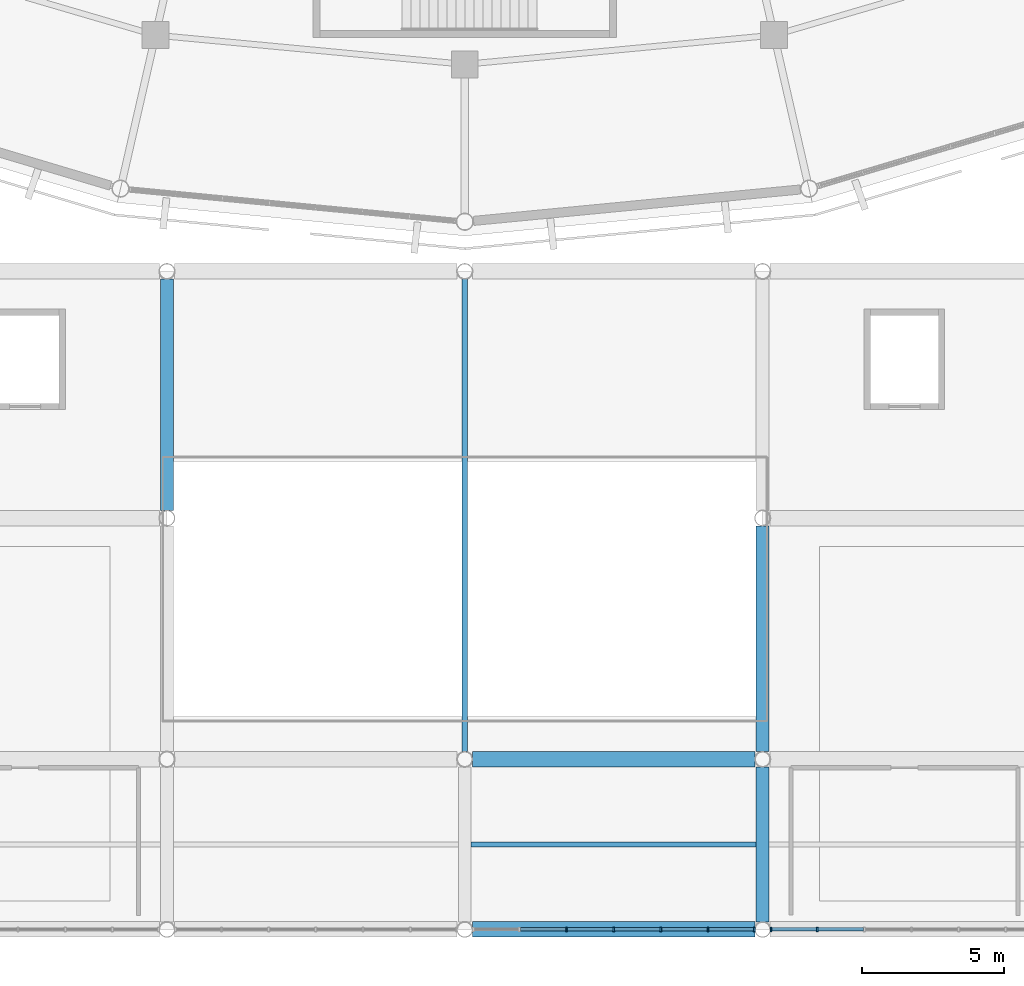
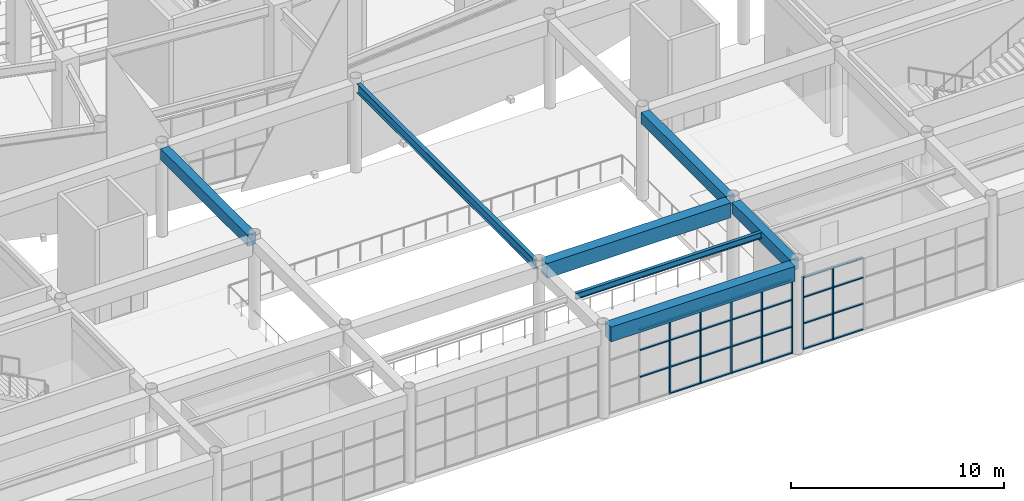
# One storey, part 23 of 120: 34 members, 7 beams, 2 elements without a shape of their own.
"""IFC4 building model written with IfcOpenShell, lengths in metres."""

from ifc_helpers import new_model, si_unit, direction, frame, origin, origin_2d, place, context, subcontext, project, spatial, rectangle, i_section, extrude, material, material_profile, profile_set, type_object, element, aggregate, save


model = new_model("IFC4")

# Units and contexts
model_context = context("Model", 3, precision=1e-05, world=origin(), true_north=direction((0.0, 1.0)))
body_context = subcontext(model_context, "Body", "Model", "MODEL_VIEW")
ifc_project = project(units=[si_unit("LENGTHUNIT", "METRE"), si_unit("AREAUNIT", "SQUARE_METRE"), si_unit("VOLUMEUNIT", "CUBIC_METRE"), si_unit("PLANEANGLEUNIT", "RADIAN"), si_unit("MASSUNIT", "GRAM", prefix="KILO")], contexts=[model_context])

# Site, building, storey
site_placement = place(None, origin())
site = spatial("IfcSite", under=ifc_project, at=site_placement, CompositionType="ELEMENT")
building_placement = place(site_placement, origin())
building = spatial("IfcBuilding", under=site, at=building_placement, Name="Cuetzalor Civic Arena", CompositionType="ELEMENT")
storey_placement = place(building_placement, frame((0.0, 0.0, 6.0)))
storey = spatial("IfcBuildingStorey", under=building, at=storey_placement, Name="L01", CompositionType="ELEMENT", Elevation=6.0)

# Beams
ifc_material_1 = material(Name="Concrete C40/50", Category="concrete")
ifc_material_profile_1 = material_profile(ifc_material_1, rectangle(XDim=0.550048828125, YDim=0.85009765625, at=origin_2d()), Name="RC 550x850")
ifc_profile_set_1 = profile_set([ifc_material_profile_1], Name="Concrete C40/50")
beam_type_1 = type_object("IfcBeamType", Name="ConcreteFrameBeam_550x850", PredefinedType="BEAM", material=ifc_profile_set_1)
for number, where, z_axis, x_axis, name in (
    (1, (0.26953125, -71.5, 4.695068359375), (1.0, 0.0, 0.0), (0.0, 1.0, 0.0), "Frame Girder V3-L01-X0293"),
    (2, (0.26953125, -65.5, 4.695068359375), (1.0, 0.0, 0.0), (0.0, 1.0, 0.0), "Frame Girder V3-L01-X0301"),
):
    element("IfcBeam", number, at=place(storey_placement, frame(where, z_axis=z_axis, x_axis=x_axis)), inside=storey, type_object=beam_type_1, Name=name, PredefinedType="BEAM", context=body_context, shape_type="SweptSolid", body=[
        extrude(rectangle(XDim=0.550048828125, YDim=0.85009765625, at=origin_2d()), origin(), (0.0, 0.0, 1.0), 9.9609375),
    ])
ifc_material_2 = material(Name="Concrete C40/50", Category="concrete")
ifc_material_profile_2 = material_profile(ifc_material_2, rectangle(XDim=0.449951171875, YDim=0.64990234375, at=origin_2d()), Name="RC 450x650")
ifc_profile_set_2 = profile_set([ifc_material_profile_2], Name="Concrete C40/50")
beam_type_2 = type_object("IfcBeamType", Name="ConcreteTieBeam_450x650", PredefinedType="BEAM", material=ifc_profile_set_2)
beam_1_placement = place(storey_placement, frame((-10.5, -56.73046875, 4.794921875), z_axis=(0.0, 1.0, 0.0), x_axis=(-1.0, 0.0, 0.0)))
element("IfcBeam", 3, at=beam_1_placement, inside=storey, type_object=beam_type_2, Name="Frame Girder V3-L01-Y0330", PredefinedType="BEAM", context=body_context, shape_type="SweptSolid", body=[
    extrude(rectangle(XDim=0.449951171875, YDim=0.64990234375, at=origin_2d()), origin(), (0.0, 0.0, 1.0), 8.160888671875),
])
beam_2_placement = place(storey_placement, frame((10.5, -71.23046875, 4.794921875), z_axis=(0.0, 1.0, 0.0), x_axis=(-1.0, 0.0, 0.0)))
element("IfcBeam", 4, at=beam_2_placement, inside=storey, type_object=beam_type_2, Name="Frame Girder V3-L01-Y0333", PredefinedType="BEAM", context=body_context, shape_type="SweptSolid", body=[
    extrude(rectangle(XDim=0.449951171875, YDim=0.64990234375, at=origin_2d()), origin(), (0.0, 0.0, 1.0), 5.4609375),
])
beam_3_placement = place(storey_placement, frame((10.5, -65.23046875, 4.794921875), z_axis=(0.0, 1.0, 0.0), x_axis=(-1.0, 0.0, 0.0)))
element("IfcBeam", 5, at=beam_3_placement, inside=storey, type_object=beam_type_2, Name="Frame Girder V3-L01-Y0334", PredefinedType="BEAM", context=body_context, shape_type="SweptSolid", body=[
    extrude(rectangle(XDim=0.449951171875, YDim=0.64990234375, at=origin_2d()), origin(), (0.0, 0.0, 1.0), 7.9609375),
])

# Curtain wall, members
ifc_material_3 = material(Name="Anodised dark bronze aluminium and low-E solar glass", Category="aluminium")
curtain_wall_type_1 = type_object("IfcCurtainWallType", Name="StickCW_10000x4250", PredefinedType="USERDEFINED", material=ifc_material_3)
curtain_wall_1_placement = place(storey_placement, origin())
curtain_wall_1 = element("IfcCurtainWall", 6, at=curtain_wall_1_placement, inside=storey, type_object=curtain_wall_type_1, Name="South Civic Square Curtain Wall L01-085", ObjectType="STICK CURTAIN WALL", PredefinedType="USERDEFINED")
ifc_material_4 = material(Name="Anodised dark bronze aluminium", Category="aluminium")
ifc_material_profile_3 = material_profile(ifc_material_4, rectangle(XDim=0.06494140625, YDim=0.14990234375, at=origin_2d()), Name="ALU MULLION 65x150")
ifc_profile_set_3 = profile_set([ifc_material_profile_3], Name="Anodised dark bronze aluminium")
member_type_1 = type_object("IfcMemberType", Name="CurtainWallMullion_60x150", PredefinedType="MULLION", material=ifc_profile_set_3)
member_1_placement = place(storey_placement, frame((10.2060546875, -71.5, 0.0), z_axis=(0.0, 0.0, 1.0), x_axis=(-1.0, 0.0, 0.0)))
member_1 = element("IfcMember", 7, at=member_1_placement, type_object=member_type_1, Name="CW-26 mullion 1", PredefinedType="MULLION", context=body_context, shape_type="SweptSolid", body=[
    extrude(rectangle(XDim=0.06494140625, YDim=0.14990234375, at=origin_2d()), origin(), (0.0, 0.0, 1.0), 4.260009765625),
])
member_2_placement = place(storey_placement, frame((8.57568359375, -71.5, 0.0), z_axis=(0.0, 0.0, 1.0), x_axis=(-1.0, 0.0, 0.0)))
member_2 = element("IfcMember", 8, at=member_2_placement, type_object=member_type_1, Name="CW-26 mullion 2", PredefinedType="MULLION", context=body_context, shape_type="SweptSolid", body=[
    extrude(rectangle(XDim=0.06494140625, YDim=0.14990234375, at=origin_2d()), origin(), (0.0, 0.0, 1.0), 4.260009765625),
])
member_3_placement = place(storey_placement, frame((6.912841796875, -71.5, 0.0), z_axis=(0.0, 0.0, 1.0), x_axis=(-1.0, 0.0, 0.0)))
member_3 = element("IfcMember", 9, at=member_3_placement, type_object=member_type_1, Name="CW-26 mullion 3", PredefinedType="MULLION", context=body_context, shape_type="SweptSolid", body=[
    extrude(rectangle(XDim=0.06494140625, YDim=0.14990234375, at=origin_2d()), origin(), (0.0, 0.0, 1.0), 4.260009765625),
])
member_4_placement = place(storey_placement, frame((5.25, -71.5, 0.0), z_axis=(0.0, 0.0, 1.0), x_axis=(-1.0, 0.0, 0.0)))
member_4 = element("IfcMember", 10, at=member_4_placement, type_object=member_type_1, Name="CW-26 mullion 4", PredefinedType="MULLION", context=body_context, shape_type="SweptSolid", body=[
    extrude(rectangle(XDim=0.06494140625, YDim=0.14990234375, at=origin_2d()), origin(), (0.0, 0.0, 1.0), 4.260009765625),
])
member_5_placement = place(storey_placement, frame((3.587158203125, -71.5, 0.0), z_axis=(0.0, 0.0, 1.0), x_axis=(-1.0, 0.0, 0.0)))
member_5 = element("IfcMember", 11, at=member_5_placement, type_object=member_type_1, Name="CW-26 mullion 5", PredefinedType="MULLION", context=body_context, shape_type="SweptSolid", body=[
    extrude(rectangle(XDim=0.06494140625, YDim=0.14990234375, at=origin_2d()), origin(), (0.0, 0.0, 1.0), 4.260009765625),
])

ifc_material_5 = material(Name="Anodised dark bronze aluminium and low-E solar glass", Category="aluminium")
curtain_wall_type_2 = type_object("IfcCurtainWallType", Name="StickCW_10000x4150", PredefinedType="USERDEFINED", material=ifc_material_5)
curtain_wall_2_placement = place(storey_placement, origin())
curtain_wall_2 = element("IfcCurtainWall", 12, at=curtain_wall_2_placement, inside=storey, type_object=curtain_wall_type_2, Name="South Civic Square Curtain Wall L01-086", ObjectType="STICK CURTAIN WALL", PredefinedType="USERDEFINED")
member_6_placement = place(storey_placement, frame((12.42431640625, -71.5, 0.0), z_axis=(0.0, 0.0, 1.0), x_axis=(-1.0, 0.0, 0.0)))
member_6 = element("IfcMember", 13, at=member_6_placement, type_object=member_type_1, Name="CW-25 mullion 6", PredefinedType="MULLION", context=body_context, shape_type="SweptSolid", body=[
    extrude(rectangle(XDim=0.06494140625, YDim=0.14990234375, at=origin_2d()), origin(), (0.0, 0.0, 1.0), 4.159912109375),
])
member_7_placement = place(storey_placement, frame((10.7939453125, -71.5, 0.0), z_axis=(0.0, 0.0, 1.0), x_axis=(-1.0, 0.0, 0.0)))
member_7 = element("IfcMember", 14, at=member_7_placement, type_object=member_type_1, Name="CW-25 mullion 7", PredefinedType="MULLION", context=body_context, shape_type="SweptSolid", body=[
    extrude(rectangle(XDim=0.06494140625, YDim=0.14990234375, at=origin_2d()), origin(), (0.0, 0.0, 1.0), 4.159912109375),
])

# Member
ifc_material_6 = material(Name="Anodised dark bronze aluminium", Category="aluminium")
ifc_material_profile_4 = material_profile(ifc_material_6, rectangle(XDim=0.1201171875, YDim=0.06494140625, at=origin_2d()), Name="ALU TRANSOM 65x120")
ifc_profile_set_4 = profile_set([ifc_material_profile_4], Name="Anodised dark bronze aluminium")
member_type_2 = type_object("IfcMemberType", Name="CurtainWallTransom_60x120", PredefinedType="USERDEFINED", material=ifc_profile_set_4)
member_8_placement = place(storey_placement, frame((10.173583984375, -71.5, 0.032470703125), z_axis=(-1.0, 0.0, 0.0), x_axis=(0.0, -1.0, 0.0)))
member_8 = element("IfcMember", 15, at=member_8_placement, type_object=member_type_2, Name="CW-26 transom 1.1", ObjectType="TRANSOM", PredefinedType="USERDEFINED", context=body_context, shape_type="SweptSolid", body=[
    extrude(rectangle(XDim=0.1201171875, YDim=0.06494140625, at=origin_2d()), origin(), (0.0, 0.0, 1.0), 1.5654296875),
])

member_9_placement = place(storey_placement, frame((10.173583984375, -71.5, 1.533935546875), z_axis=(-1.0, 0.0, 0.0), x_axis=(0.0, -1.0, 0.0)))
member_9 = element("IfcMember", 16, at=member_9_placement, type_object=member_type_2, Name="CW-26 transom 1.2", ObjectType="TRANSOM", PredefinedType="USERDEFINED", context=body_context, shape_type="SweptSolid", body=[
    extrude(rectangle(XDim=0.1201171875, YDim=0.06494140625, at=origin_2d()), origin(), (0.0, 0.0, 1.0), 1.5654296875),
])

member_10_placement = place(storey_placement, frame((10.173583984375, -71.5, 3.06689453125), z_axis=(-1.0, 0.0, 0.0), x_axis=(0.0, -1.0, 0.0)))
member_10 = element("IfcMember", 17, at=member_10_placement, type_object=member_type_2, Name="CW-26 transom 1.3", ObjectType="TRANSOM", PredefinedType="USERDEFINED", context=body_context, shape_type="SweptSolid", body=[
    extrude(rectangle(XDim=0.1201171875, YDim=0.06494140625, at=origin_2d()), origin(), (0.0, 0.0, 1.0), 1.5654296875),
])

member_11_placement = place(storey_placement, frame((10.173583984375, -71.5, 4.2275390625), z_axis=(-1.0, 0.0, 0.0), x_axis=(0.0, -1.0, 0.0)))
member_11 = element("IfcMember", 18, at=member_11_placement, type_object=member_type_2, Name="CW-26 transom 1.4", ObjectType="TRANSOM", PredefinedType="USERDEFINED", context=body_context, shape_type="SweptSolid", body=[
    extrude(rectangle(XDim=0.1201171875, YDim=0.06494140625, at=origin_2d()), origin(), (0.0, 0.0, 1.0), 1.5654296875),
])

member_12_placement = place(storey_placement, frame((8.543212890625, -71.5, 0.032470703125), z_axis=(-1.0, 0.0, 0.0), x_axis=(0.0, -1.0, 0.0)))
member_12 = element("IfcMember", 19, at=member_12_placement, type_object=member_type_2, Name="CW-26 transom 2.1", ObjectType="TRANSOM", PredefinedType="USERDEFINED", context=body_context, shape_type="SweptSolid", body=[
    extrude(rectangle(XDim=0.1201171875, YDim=0.06494140625, at=origin_2d()), origin(), (0.0, 0.0, 1.0), 1.597900390625),
])

member_13_placement = place(storey_placement, frame((8.543212890625, -71.5, 1.533935546875), z_axis=(-1.0, 0.0, 0.0), x_axis=(0.0, -1.0, 0.0)))
member_13 = element("IfcMember", 20, at=member_13_placement, type_object=member_type_2, Name="CW-26 transom 2.2", ObjectType="TRANSOM", PredefinedType="USERDEFINED", context=body_context, shape_type="SweptSolid", body=[
    extrude(rectangle(XDim=0.1201171875, YDim=0.06494140625, at=origin_2d()), origin(), (0.0, 0.0, 1.0), 1.597900390625),
])

member_14_placement = place(storey_placement, frame((8.543212890625, -71.5, 3.06689453125), z_axis=(-1.0, 0.0, 0.0), x_axis=(0.0, -1.0, 0.0)))
member_14 = element("IfcMember", 21, at=member_14_placement, type_object=member_type_2, Name="CW-26 transom 2.3", ObjectType="TRANSOM", PredefinedType="USERDEFINED", context=body_context, shape_type="SweptSolid", body=[
    extrude(rectangle(XDim=0.1201171875, YDim=0.06494140625, at=origin_2d()), origin(), (0.0, 0.0, 1.0), 1.597900390625),
])

member_15_placement = place(storey_placement, frame((8.543212890625, -71.5, 4.2275390625), z_axis=(-1.0, 0.0, 0.0), x_axis=(0.0, -1.0, 0.0)))
member_15 = element("IfcMember", 22, at=member_15_placement, type_object=member_type_2, Name="CW-26 transom 2.4", ObjectType="TRANSOM", PredefinedType="USERDEFINED", context=body_context, shape_type="SweptSolid", body=[
    extrude(rectangle(XDim=0.1201171875, YDim=0.06494140625, at=origin_2d()), origin(), (0.0, 0.0, 1.0), 1.597900390625),
])

member_16_placement = place(storey_placement, frame((6.88037109375, -71.5, 0.032470703125), z_axis=(-1.0, 0.0, 0.0), x_axis=(0.0, -1.0, 0.0)))
member_16 = element("IfcMember", 23, at=member_16_placement, type_object=member_type_2, Name="CW-26 transom 3.1", ObjectType="TRANSOM", PredefinedType="USERDEFINED", context=body_context, shape_type="SweptSolid", body=[
    extrude(rectangle(XDim=0.1201171875, YDim=0.06494140625, at=origin_2d()), origin(), (0.0, 0.0, 1.0), 1.597900390625),
])

member_17_placement = place(storey_placement, frame((6.88037109375, -71.5, 1.533935546875), z_axis=(-1.0, 0.0, 0.0), x_axis=(0.0, -1.0, 0.0)))
member_17 = element("IfcMember", 24, at=member_17_placement, type_object=member_type_2, Name="CW-26 transom 3.2", ObjectType="TRANSOM", PredefinedType="USERDEFINED", context=body_context, shape_type="SweptSolid", body=[
    extrude(rectangle(XDim=0.1201171875, YDim=0.06494140625, at=origin_2d()), origin(), (0.0, 0.0, 1.0), 1.597900390625),
])

member_18_placement = place(storey_placement, frame((6.88037109375, -71.5, 3.06689453125), z_axis=(-1.0, 0.0, 0.0), x_axis=(0.0, -1.0, 0.0)))
member_18 = element("IfcMember", 25, at=member_18_placement, type_object=member_type_2, Name="CW-26 transom 3.3", ObjectType="TRANSOM", PredefinedType="USERDEFINED", context=body_context, shape_type="SweptSolid", body=[
    extrude(rectangle(XDim=0.1201171875, YDim=0.06494140625, at=origin_2d()), origin(), (0.0, 0.0, 1.0), 1.597900390625),
])

member_19_placement = place(storey_placement, frame((6.88037109375, -71.5, 4.2275390625), z_axis=(-1.0, 0.0, 0.0), x_axis=(0.0, -1.0, 0.0)))
member_19 = element("IfcMember", 26, at=member_19_placement, type_object=member_type_2, Name="CW-26 transom 3.4", ObjectType="TRANSOM", PredefinedType="USERDEFINED", context=body_context, shape_type="SweptSolid", body=[
    extrude(rectangle(XDim=0.1201171875, YDim=0.06494140625, at=origin_2d()), origin(), (0.0, 0.0, 1.0), 1.597900390625),
])

member_20_placement = place(storey_placement, frame((5.217529296875, -71.5, 0.032470703125), z_axis=(-1.0, 0.0, 0.0), x_axis=(0.0, -1.0, 0.0)))
member_20 = element("IfcMember", 27, at=member_20_placement, type_object=member_type_2, Name="CW-26 transom 4.1", ObjectType="TRANSOM", PredefinedType="USERDEFINED", context=body_context, shape_type="SweptSolid", body=[
    extrude(rectangle(XDim=0.1201171875, YDim=0.06494140625, at=origin_2d()), origin(), (0.0, 0.0, 1.0), 1.597900390625),
])

member_21_placement = place(storey_placement, frame((5.217529296875, -71.5, 1.533935546875), z_axis=(-1.0, 0.0, 0.0), x_axis=(0.0, -1.0, 0.0)))
member_21 = element("IfcMember", 28, at=member_21_placement, type_object=member_type_2, Name="CW-26 transom 4.2", ObjectType="TRANSOM", PredefinedType="USERDEFINED", context=body_context, shape_type="SweptSolid", body=[
    extrude(rectangle(XDim=0.1201171875, YDim=0.06494140625, at=origin_2d()), origin(), (0.0, 0.0, 1.0), 1.597900390625),
])

member_22_placement = place(storey_placement, frame((5.217529296875, -71.5, 3.06689453125), z_axis=(-1.0, 0.0, 0.0), x_axis=(0.0, -1.0, 0.0)))
member_22 = element("IfcMember", 29, at=member_22_placement, type_object=member_type_2, Name="CW-26 transom 4.3", ObjectType="TRANSOM", PredefinedType="USERDEFINED", context=body_context, shape_type="SweptSolid", body=[
    extrude(rectangle(XDim=0.1201171875, YDim=0.06494140625, at=origin_2d()), origin(), (0.0, 0.0, 1.0), 1.597900390625),
])

member_23_placement = place(storey_placement, frame((5.217529296875, -71.5, 4.2275390625), z_axis=(-1.0, 0.0, 0.0), x_axis=(0.0, -1.0, 0.0)))
member_23 = element("IfcMember", 30, at=member_23_placement, type_object=member_type_2, Name="CW-26 transom 4.4", ObjectType="TRANSOM", PredefinedType="USERDEFINED", context=body_context, shape_type="SweptSolid", body=[
    extrude(rectangle(XDim=0.1201171875, YDim=0.06494140625, at=origin_2d()), origin(), (0.0, 0.0, 1.0), 1.597900390625),
])

member_24_placement = place(storey_placement, frame((3.5546875, -71.5, 1.533935546875), z_axis=(-1.0, 0.0, 0.0), x_axis=(0.0, -1.0, 0.0)))
member_24 = element("IfcMember", 31, at=member_24_placement, type_object=member_type_2, Name="CW-26 transom 5.2", ObjectType="TRANSOM", PredefinedType="USERDEFINED", context=body_context, shape_type="SweptSolid", body=[
    extrude(rectangle(XDim=0.1201171875, YDim=0.06494140625, at=origin_2d()), origin(), (0.0, 0.0, 1.0), 1.597900390625),
])

member_25_placement = place(storey_placement, frame((3.5546875, -71.5, 3.06689453125), z_axis=(-1.0, 0.0, 0.0), x_axis=(0.0, -1.0, 0.0)))
member_25 = element("IfcMember", 32, at=member_25_placement, type_object=member_type_2, Name="CW-26 transom 5.3", ObjectType="TRANSOM", PredefinedType="USERDEFINED", context=body_context, shape_type="SweptSolid", body=[
    extrude(rectangle(XDim=0.1201171875, YDim=0.06494140625, at=origin_2d()), origin(), (0.0, 0.0, 1.0), 1.597900390625),
])

member_26_placement = place(storey_placement, frame((3.5546875, -71.5, 4.2275390625), z_axis=(-1.0, 0.0, 0.0), x_axis=(0.0, -1.0, 0.0)))
member_26 = element("IfcMember", 33, at=member_26_placement, type_object=member_type_2, Name="CW-26 transom 5.4", ObjectType="TRANSOM", PredefinedType="USERDEFINED", context=body_context, shape_type="SweptSolid", body=[
    extrude(rectangle(XDim=0.1201171875, YDim=0.06494140625, at=origin_2d()), origin(), (0.0, 0.0, 1.0), 1.597900390625),
])

aggregate(curtain_wall_1, [member_1, member_2, member_3, member_4, member_5, member_8, member_9, member_10, member_11, member_12, member_13, member_14, member_15, member_16, member_17, member_18, member_19, member_20, member_21, member_22, member_23, member_24, member_25, member_26])

member_27_placement = place(storey_placement, frame((14.0546875, -71.5, 0.032470703125), z_axis=(-1.0, 0.0, 0.0), x_axis=(0.0, -1.0, 0.0)))
member_27 = element("IfcMember", 34, at=member_27_placement, type_object=member_type_2, Name="CW-25 transom 5.1", ObjectType="TRANSOM", PredefinedType="USERDEFINED", context=body_context, shape_type="SweptSolid", body=[
    extrude(rectangle(XDim=0.1201171875, YDim=0.06494140625, at=origin_2d()), origin(), (0.0, 0.0, 1.0), 1.597900390625),
])

member_28_placement = place(storey_placement, frame((14.0546875, -71.5, 1.498046875), z_axis=(-1.0, 0.0, 0.0), x_axis=(0.0, -1.0, 0.0)))
member_28 = element("IfcMember", 35, at=member_28_placement, type_object=member_type_2, Name="CW-25 transom 5.2", ObjectType="TRANSOM", PredefinedType="USERDEFINED", context=body_context, shape_type="SweptSolid", body=[
    extrude(rectangle(XDim=0.1201171875, YDim=0.06494140625, at=origin_2d()), origin(), (0.0, 0.0, 1.0), 1.597900390625),
])

member_29_placement = place(storey_placement, frame((14.0546875, -71.5, 2.9951171875), z_axis=(-1.0, 0.0, 0.0), x_axis=(0.0, -1.0, 0.0)))
member_29 = element("IfcMember", 36, at=member_29_placement, type_object=member_type_2, Name="CW-25 transom 5.3", ObjectType="TRANSOM", PredefinedType="USERDEFINED", context=body_context, shape_type="SweptSolid", body=[
    extrude(rectangle(XDim=0.1201171875, YDim=0.06494140625, at=origin_2d()), origin(), (0.0, 0.0, 1.0), 1.597900390625),
])

member_30_placement = place(storey_placement, frame((14.0546875, -71.5, 4.12744140625), z_axis=(-1.0, 0.0, 0.0), x_axis=(0.0, -1.0, 0.0)))
member_30 = element("IfcMember", 37, at=member_30_placement, type_object=member_type_2, Name="CW-25 transom 5.4", ObjectType="TRANSOM", PredefinedType="USERDEFINED", context=body_context, shape_type="SweptSolid", body=[
    extrude(rectangle(XDim=0.1201171875, YDim=0.06494140625, at=origin_2d()), origin(), (0.0, 0.0, 1.0), 1.597900390625),
])

member_31_placement = place(storey_placement, frame((12.391845703125, -71.5, 0.032470703125), z_axis=(-1.0, 0.0, 0.0), x_axis=(0.0, -1.0, 0.0)))
member_31 = element("IfcMember", 38, at=member_31_placement, type_object=member_type_2, Name="CW-25 transom 6.1", ObjectType="TRANSOM", PredefinedType="USERDEFINED", context=body_context, shape_type="SweptSolid", body=[
    extrude(rectangle(XDim=0.1201171875, YDim=0.06494140625, at=origin_2d()), origin(), (0.0, 0.0, 1.0), 1.5654296875),
])

member_32_placement = place(storey_placement, frame((12.391845703125, -71.5, 1.498046875), z_axis=(-1.0, 0.0, 0.0), x_axis=(0.0, -1.0, 0.0)))
member_32 = element("IfcMember", 39, at=member_32_placement, type_object=member_type_2, Name="CW-25 transom 6.2", ObjectType="TRANSOM", PredefinedType="USERDEFINED", context=body_context, shape_type="SweptSolid", body=[
    extrude(rectangle(XDim=0.1201171875, YDim=0.06494140625, at=origin_2d()), origin(), (0.0, 0.0, 1.0), 1.5654296875),
])

member_33_placement = place(storey_placement, frame((12.391845703125, -71.5, 2.9951171875), z_axis=(-1.0, 0.0, 0.0), x_axis=(0.0, -1.0, 0.0)))
member_33 = element("IfcMember", 40, at=member_33_placement, type_object=member_type_2, Name="CW-25 transom 6.3", ObjectType="TRANSOM", PredefinedType="USERDEFINED", context=body_context, shape_type="SweptSolid", body=[
    extrude(rectangle(XDim=0.1201171875, YDim=0.06494140625, at=origin_2d()), origin(), (0.0, 0.0, 1.0), 1.5654296875),
])

member_34_placement = place(storey_placement, frame((12.391845703125, -71.5, 4.12744140625), z_axis=(-1.0, 0.0, 0.0), x_axis=(0.0, -1.0, 0.0)))
member_34 = element("IfcMember", 41, at=member_34_placement, type_object=member_type_2, Name="CW-25 transom 6.4", ObjectType="TRANSOM", PredefinedType="USERDEFINED", context=body_context, shape_type="SweptSolid", body=[
    extrude(rectangle(XDim=0.1201171875, YDim=0.06494140625, at=origin_2d()), origin(), (0.0, 0.0, 1.0), 1.5654296875),
])

aggregate(curtain_wall_2, [member_6, member_7, member_27, member_28, member_29, member_30, member_31, member_32, member_33, member_34])

# Beams
ifc_material_7 = material(Name="Steel S355", Category="steel")
ifc_material_profile_5 = material_profile(ifc_material_7, i_section(OverallWidth=0.1708984375, OverallDepth=0.35498046875, WebThickness=0.007080078125, FlangeThickness=0.01171875, at=origin_2d()), Name="W360x51")
ifc_profile_set_5 = profile_set([ifc_material_profile_5], Name="Steel S355")
beam_type_3 = type_object("IfcBeamType", Name="SecondaryFloorJoist_W360", PredefinedType="JOIST", material=ifc_profile_set_5)
beam_4_placement = place(storey_placement, frame((0.217041015625, -68.5, 4.9423828125), z_axis=(1.0, 0.0, 0.0), x_axis=(0.0, 1.0, 0.0)))
element("IfcBeam", 42, at=beam_4_placement, inside=storey, type_object=beam_type_3, Name="Secondary Floor Joist V3-L01-0098", PredefinedType="JOIST", context=body_context, shape_type="SweptSolid", body=[
    extrude(i_section(OverallWidth=0.1708984375, OverallDepth=0.35498046875, WebThickness=0.007080078125, FlangeThickness=0.01171875, at=origin_2d()), origin(), (0.0, 0.0, 1.0), 10.06591796875),
])
ifc_material_8 = material(Name="Steel S355", Category="steel")
ifc_material_profile_6 = material_profile(ifc_material_8, i_section(OverallWidth=0.208984375, OverallDepth=0.532958984375, WebThickness=0.01025390625, FlangeThickness=0.015625, at=origin_2d()), Name="W530x92")
ifc_profile_set_6 = profile_set([ifc_material_profile_6], Name="Steel S355")
beam_type_4 = type_object("IfcBeamType", Name="SteelCollarGirder_W530", PredefinedType="BEAM", material=ifc_profile_set_6)
beam_5_placement = place(storey_placement, frame((0.0, -65.23046875, 4.853515625), z_axis=(0.0, 1.0, 0.0), x_axis=(-1.0, 0.0, 0.0)))
element("IfcBeam", 43, at=beam_5_placement, inside=storey, type_object=beam_type_4, Name="Frame Girder V3-L01-Y0332", PredefinedType="BEAM", context=body_context, shape_type="SweptSolid", body=[
    extrude(i_section(OverallWidth=0.208984375, OverallDepth=0.532958984375, WebThickness=0.01025390625, FlangeThickness=0.015625, at=origin_2d()), origin(), (0.0, 0.0, 1.0), 16.660888671875),
])

save(model, "model.ifc")
